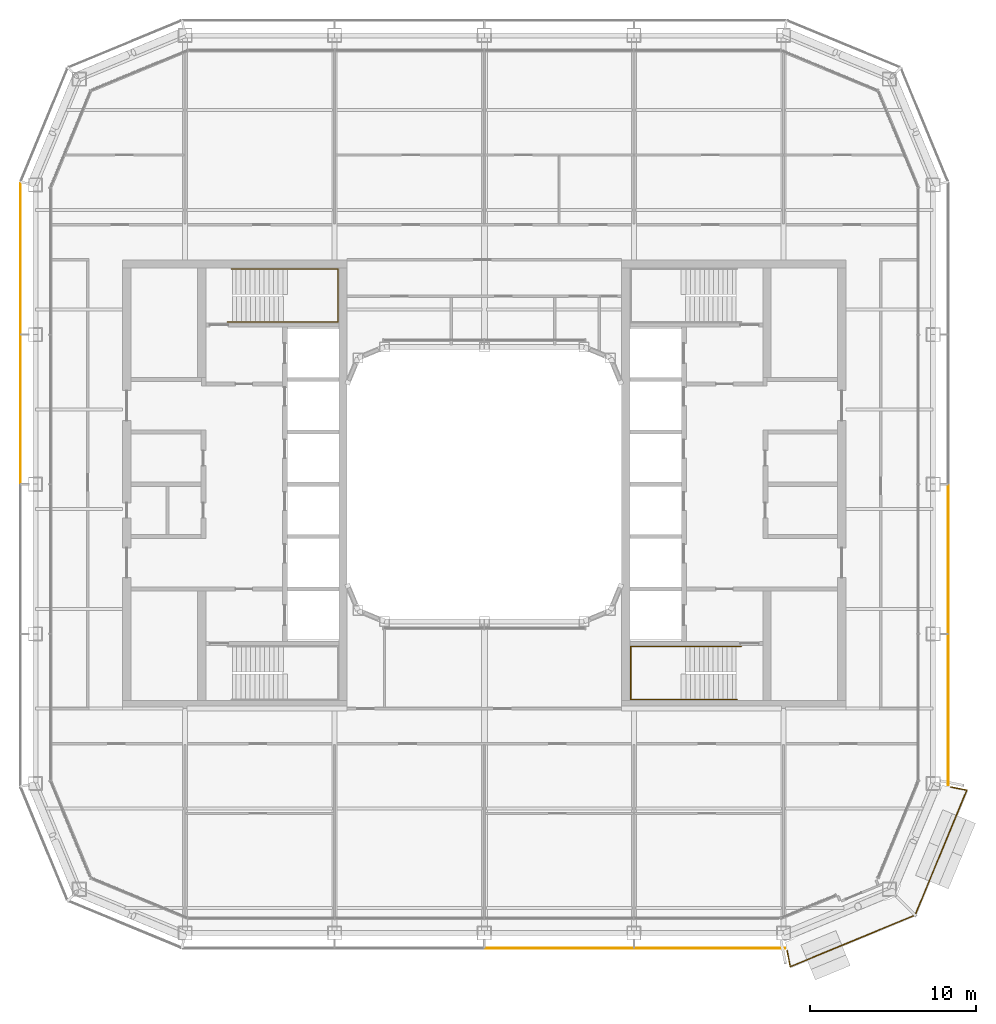
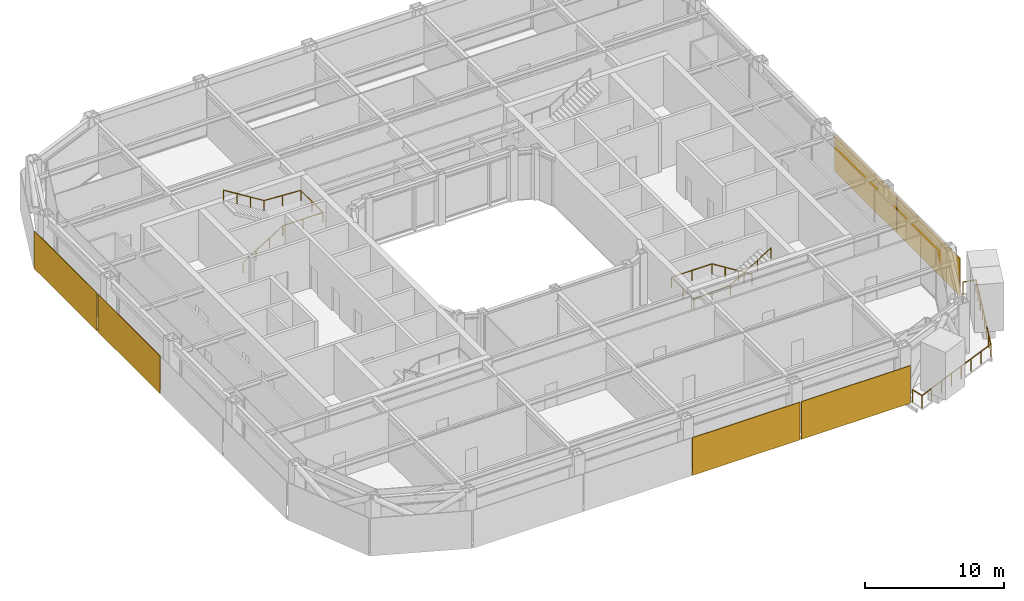
# One storey, part 19 of 22: 6 coverings, 3 railings.
"""IFC4 building model written with IfcOpenShell, lengths in metres."""

from ifc_helpers import new_model, si_unit, direction, frame, origin, origin_2d, place, context, subcontext, project, spatial, rectangle, circle, extrude, material, layer, layer_set, type_object, element, save


model = new_model("IFC4")

# Units and contexts
model_context = context("Model", 3, precision=1e-05, world=origin(), true_north=direction((0.0, 1.0)))
body_context = subcontext(model_context, "Body", "Model", "MODEL_VIEW")
ifc_project = project(units=[si_unit("LENGTHUNIT", "METRE"), si_unit("AREAUNIT", "SQUARE_METRE"), si_unit("VOLUMEUNIT", "CUBIC_METRE"), si_unit("PLANEANGLEUNIT", "RADIAN"), si_unit("MASSUNIT", "GRAM", prefix="KILO")], contexts=[model_context])

# Site, building, storey
site_placement = place(None, origin())
site = spatial("IfcSite", under=ifc_project, at=site_placement, CompositionType="ELEMENT")
building_placement = place(site_placement, origin())
building = spatial("IfcBuilding", under=site, at=building_placement, Name="Siwar Civic Tower", CompositionType="ELEMENT")
storey_placement = place(building_placement, frame((0.0, 0.0, 201.699951171875)))
storey = spatial("IfcBuildingStorey", under=building, at=storey_placement, Name="L43", CompositionType="ELEMENT", Elevation=201.699951171875)

# Railings
ifc_material_1 = material(Name="Stainless steel", Category="steel")
railing_type_1 = type_object("IfcRailingType", Name="CORE-STAIR-HANDRAIL", PredefinedType="HANDRAIL", material=ifc_material_1)
railing_1_placement = place(storey_placement, frame((-15.449951171875, 9.758056640625, 0.173095703125)))
element("IfcRailing", 1, at=railing_1_placement, inside=storey, type_object=railing_type_1, Name="Stair handrail ST1", PredefinedType="HANDRAIL", context=body_context, shape_type="SweptSolid", body=[
    extrude(circle(Radius=0.02001953125, at=origin_2d()), frame((0.0, 0.0, 0.8798828125), z_axis=(0.847063342986, 0.0, 0.531491950051), x_axis=(0.0, 1.0, 0.0)), (0.0, 0.0, 1.0), 3.90771484375),
    extrude(circle(Radius=0.02001953125, at=origin_2d()), frame((3.31005859375, 0.0, 2.956787109375), z_axis=(1.0, 0.0, 0.0), x_axis=(0.0, 1.0, 0.0)), (0.0, 0.0, 1.0), 3.331787109375),
    extrude(circle(Radius=0.02001953125, at=origin_2d()), frame((6.641845703125, 0.0, 2.956787109375), z_axis=(0.0, 1.0, 0.0), x_axis=(-1.0, 0.0, 0.0)), (0.0, 0.0, 1.0), 3.183837890625),
    extrude(circle(Radius=0.02001953125, at=origin_2d()), frame((6.641845703125, 3.183837890625, 2.956787109375), z_axis=(-0.99837434197, 0.0, 0.056997134106), x_axis=(0.0, -1.0, 0.0)), (0.0, 0.0, 1.0), 3.036865234375),
    extrude(circle(Radius=0.02001953125, at=origin_2d()), frame((3.60986328125, 3.183837890625, 3.1298828125), z_axis=(-0.850606129759, 0.0, 0.525803396734), x_axis=(0.0, -1.0, 0.0)), (0.0, 0.0, 1.0), 3.949951171875),
    extrude(circle(Radius=0.02001953125, at=origin_2d()), origin(), (0.0, 0.0, 1.0), 0.85986328125),
    extrude(circle(Radius=0.02001953125, at=origin_2d()), frame((1.103271484375, 0.0, 0.6923828125)), (0.0, 0.0, 1.0), 0.85986328125),
    extrude(circle(Radius=0.02001953125, at=origin_2d()), frame((2.206787109375, 0.0, 1.384521484375)), (0.0, 0.0, 1.0), 0.85986328125),
    extrude(circle(Radius=0.02001953125, at=origin_2d()), frame((3.31005859375, 0.0, 2.076904296875)), (0.0, 0.0, 1.0), 0.85986328125),
    extrude(circle(Radius=0.02001953125, at=origin_2d()), frame((4.97607421875, 0.0, 2.076904296875)), (0.0, 0.0, 1.0), 0.85986328125),
    extrude(circle(Radius=0.02001953125, at=origin_2d()), frame((6.641845703125, 0.0, 2.076904296875)), (0.0, 0.0, 1.0), 0.85986328125),
    extrude(circle(Radius=0.02001953125, at=origin_2d()), frame((6.641845703125, 1.591796875, 2.076904296875)), (0.0, 0.0, 1.0), 0.85986328125),
    extrude(circle(Radius=0.02001953125, at=origin_2d()), frame((6.641845703125, 3.183837890625, 2.076904296875)), (0.0, 0.0, 1.0), 0.85986328125),
    extrude(circle(Radius=0.02001953125, at=origin_2d()), frame((5.1259765625, 3.183837890625, 2.16357421875)), (0.0, 0.0, 1.0), 0.85986328125),
    extrude(circle(Radius=0.02001953125, at=origin_2d()), frame((3.60986328125, 3.183837890625, 2.25)), (0.0, 0.0, 1.0), 0.85986328125),
    extrude(circle(Radius=0.02001953125, at=origin_2d()), frame((2.489990234375, 3.183837890625, 2.9423828125)), (0.0, 0.0, 1.0), 0.85986328125),
    extrude(circle(Radius=0.02001953125, at=origin_2d()), frame((1.369873046875, 3.183837890625, 3.634521484375)), (0.0, 0.0, 1.0), 0.85986328125),
    extrude(circle(Radius=0.02001953125, at=origin_2d()), frame((0.25, 3.183837890625, 4.326904296875)), (0.0, 0.0, 1.0), 0.85986328125),
])
railing_2_placement = place(storey_placement, frame((15.449951171875, -9.758056640625, 0.173095703125)))
element("IfcRailing", 2, at=railing_2_placement, inside=storey, type_object=railing_type_1, Name="Stair handrail ST4", PredefinedType="HANDRAIL", context=body_context, shape_type="SweptSolid", body=[
    extrude(circle(Radius=0.02001953125, at=origin_2d()), frame((0.0, 0.0, 0.8798828125), z_axis=(-0.847063342986, 0.0, 0.531491950051), x_axis=(0.0, -1.0, 0.0)), (0.0, 0.0, 1.0), 3.90771484375),
    extrude(circle(Radius=0.02001953125, at=origin_2d()), frame((-3.31005859375, 0.0, 2.956787109375), z_axis=(-1.0, 0.0, 0.0), x_axis=(0.0, -1.0, 0.0)), (0.0, 0.0, 1.0), 3.331787109375),
    extrude(circle(Radius=0.02001953125, at=origin_2d()), frame((-6.641845703125, 0.0, 2.956787109375), z_axis=(0.0, -1.0, 0.0), x_axis=(1.0, 0.0, 0.0)), (0.0, 0.0, 1.0), 3.183837890625),
    extrude(circle(Radius=0.02001953125, at=origin_2d()), frame((-6.641845703125, -3.183837890625, 2.956787109375), z_axis=(0.99837434197, 0.0, 0.056997134106), x_axis=(0.0, 1.0, 0.0)), (0.0, 0.0, 1.0), 3.036865234375),
    extrude(circle(Radius=0.02001953125, at=origin_2d()), frame((-3.60986328125, -3.183837890625, 3.1298828125), z_axis=(0.850606129759, 0.0, 0.525803396734), x_axis=(0.0, 1.0, 0.0)), (0.0, 0.0, 1.0), 3.949951171875),
    extrude(circle(Radius=0.02001953125, at=origin_2d()), origin(), (0.0, 0.0, 1.0), 0.85986328125),
    extrude(circle(Radius=0.02001953125, at=origin_2d()), frame((-1.103271484375, 0.0, 0.6923828125)), (0.0, 0.0, 1.0), 0.85986328125),
    extrude(circle(Radius=0.02001953125, at=origin_2d()), frame((-2.206787109375, 0.0, 1.384521484375)), (0.0, 0.0, 1.0), 0.85986328125),
    extrude(circle(Radius=0.02001953125, at=origin_2d()), frame((-3.31005859375, 0.0, 2.076904296875)), (0.0, 0.0, 1.0), 0.85986328125),
    extrude(circle(Radius=0.02001953125, at=origin_2d()), frame((-4.97607421875, 0.0, 2.076904296875)), (0.0, 0.0, 1.0), 0.85986328125),
    extrude(circle(Radius=0.02001953125, at=origin_2d()), frame((-6.641845703125, 0.0, 2.076904296875)), (0.0, 0.0, 1.0), 0.85986328125),
    extrude(circle(Radius=0.02001953125, at=origin_2d()), frame((-6.641845703125, -1.591796875, 2.076904296875)), (0.0, 0.0, 1.0), 0.85986328125),
    extrude(circle(Radius=0.02001953125, at=origin_2d()), frame((-6.641845703125, -3.183837890625, 2.076904296875)), (0.0, 0.0, 1.0), 0.85986328125),
    extrude(circle(Radius=0.02001953125, at=origin_2d()), frame((-5.1259765625, -3.183837890625, 2.16357421875)), (0.0, 0.0, 1.0), 0.85986328125),
    extrude(circle(Radius=0.02001953125, at=origin_2d()), frame((-3.60986328125, -3.183837890625, 2.25)), (0.0, 0.0, 1.0), 0.85986328125),
    extrude(circle(Radius=0.02001953125, at=origin_2d()), frame((-2.489990234375, -3.183837890625, 2.9423828125)), (0.0, 0.0, 1.0), 0.85986328125),
    extrude(circle(Radius=0.02001953125, at=origin_2d()), frame((-1.369873046875, -3.183837890625, 3.634521484375)), (0.0, 0.0, 1.0), 0.85986328125),
    extrude(circle(Radius=0.02001953125, at=origin_2d()), frame((-0.25, -3.183837890625, 4.326904296875)), (0.0, 0.0, 1.0), 0.85986328125),
])
ifc_material_2 = material(Name="Stainless steel 316", Category="steel")
railing_type_2 = type_object("IfcRailingType", Name="ENV-GUARD", PredefinedType="GUARDRAIL", material=ifc_material_2)
railing_3_placement = place(storey_placement, frame((18.208251953125, -28.047119140625, 0.0)))
element("IfcRailing", 3, at=railing_3_placement, inside=storey, type_object=railing_type_2, Name="Balcony guard SE", PredefinedType="GUARDRAIL", context=body_context, shape_type="SweptSolid", body=[
    extrude(circle(Radius=0.02392578125, at=origin_2d()), frame((0.0, 0.0, 1.076171875), z_axis=(0.195123592472, -0.980778661911, 0.0), x_axis=(0.980778661911, 0.195123592472, 0.0)), (0.0, 0.0, 1.0), 0.993408203125),
    extrude(circle(Radius=0.02392578125, at=origin_2d()), frame((0.19384765625, -0.974365234375, 1.076171875), z_axis=(0.924089256518, 0.382176720888, 0.0), x_axis=(-0.382176720888, 0.924089256518, 0.0)), (0.0, 0.0, 1.0), 8.129638671875),
    extrude(circle(Radius=0.02392578125, at=origin_2d()), frame((7.706298828125, 2.132568359375, 1.076171875), z_axis=(0.382176720888, 0.924089256518, 0.0), x_axis=(-0.924089256518, 0.382176720888, 0.0)), (0.0, 0.0, 1.0), 8.129638671875),
    extrude(circle(Radius=0.02392578125, at=origin_2d()), frame((10.813232421875, 9.64501953125, 1.076171875), z_axis=(-0.980778661911, 0.195123592472, 0.0), x_axis=(-0.195123592472, -0.980778661911, 0.0)), (0.0, 0.0, 1.0), 0.993408203125),
    extrude(circle(Radius=0.02099609375, at=origin_2d()), origin(), (0.0, 0.0, 1.0), 1.052001953125),
    extrude(circle(Radius=0.02099609375, at=origin_2d()), frame((0.19384765625, -0.974365234375, 0.0)), (0.0, 0.0, 1.0), 1.052001953125),
    extrude(circle(Radius=0.02099609375, at=origin_2d()), frame((1.26708984375, -0.530517578125, 0.0)), (0.0, 0.0, 1.0), 1.052001953125),
    extrude(circle(Radius=0.02099609375, at=origin_2d()), frame((2.34033203125, -0.086669921875, 0.0)), (0.0, 0.0, 1.0), 1.052001953125),
    extrude(circle(Radius=0.02099609375, at=origin_2d()), frame((3.41357421875, 0.357177734375, 0.0)), (0.0, 0.0, 1.0), 1.052001953125),
    extrude(circle(Radius=0.02099609375, at=origin_2d()), frame((4.486572265625, 0.801025390625, 0.0)), (0.0, 0.0, 1.0), 1.052001953125),
    extrude(circle(Radius=0.02099609375, at=origin_2d()), frame((5.559814453125, 1.244873046875, 0.0)), (0.0, 0.0, 1.0), 1.052001953125),
    extrude(circle(Radius=0.02099609375, at=origin_2d()), frame((6.633056640625, 1.688720703125, 0.0)), (0.0, 0.0, 1.0), 1.052001953125),
    extrude(circle(Radius=0.02099609375, at=origin_2d()), frame((7.706298828125, 2.132568359375, 0.0)), (0.0, 0.0, 1.0), 1.052001953125),
    extrude(circle(Radius=0.02099609375, at=origin_2d()), frame((8.150146484375, 3.205810546875, 0.0)), (0.0, 0.0, 1.0), 1.052001953125),
    extrude(circle(Radius=0.02099609375, at=origin_2d()), frame((8.593994140625, 4.279052734375, 0.0)), (0.0, 0.0, 1.0), 1.052001953125),
    extrude(circle(Radius=0.02099609375, at=origin_2d()), frame((9.037841796875, 5.352294921875, 0.0)), (0.0, 0.0, 1.0), 1.052001953125),
    extrude(circle(Radius=0.02099609375, at=origin_2d()), frame((9.481689453125, 6.42529296875, 0.0)), (0.0, 0.0, 1.0), 1.052001953125),
    extrude(circle(Radius=0.02099609375, at=origin_2d()), frame((9.925537109375, 7.49853515625, 0.0)), (0.0, 0.0, 1.0), 1.052001953125),
    extrude(circle(Radius=0.02099609375, at=origin_2d()), frame((10.369384765625, 8.57177734375, 0.0)), (0.0, 0.0, 1.0), 1.052001953125),
    extrude(circle(Radius=0.02099609375, at=origin_2d()), frame((10.813232421875, 9.64501953125, 0.0)), (0.0, 0.0, 1.0), 1.052001953125),
    extrude(circle(Radius=0.02099609375, at=origin_2d()), frame((9.8388671875, 9.8388671875, 0.0)), (0.0, 0.0, 1.0), 1.052001953125),
])

# Coverings
ifc_material_3 = material(Name="Perforated aluminium cassette, pale metal", Category="aluminium")
ifc_layer_1 = layer(ifc_material_3, 0.0400390625)
ifc_layer_set_1 = layer_set([ifc_layer_1], Name="Perforated aluminium cassette, pale metal")
covering_type_1 = type_object("IfcCoveringType", Name="ENV-OUTER SKIN OS-1", PredefinedType="CLADDING", material=ifc_layer_set_1)
covering_1_placement = place(storey_placement, frame((27.89990234375, -13.57958984375, -0.14990234375), z_axis=(0.0, 0.0, 1.0), x_axis=(0.0, 1.0, 0.0)))
element("IfcCovering", 4, at=covering_1_placement, inside=storey, type_object=covering_type_1, Name="OUTER SKIN OS-1 E 1", PredefinedType="CLADDING", context=body_context, shape_type="SweptSolid", body=[
    extrude(rectangle(XDim=9.05908203125, YDim=0.0400390625, at=origin_2d()), origin(), (0.0, 0.0, 1.0), 3.300048828125),
])
covering_2_placement = place(storey_placement, frame((27.89990234375, -4.5, -0.14990234375), z_axis=(0.0, 0.0, 1.0), x_axis=(0.0, 1.0, 0.0)))
element("IfcCovering", 5, at=covering_2_placement, inside=storey, type_object=covering_type_1, Name="OUTER SKIN OS-1 E 2", PredefinedType="CLADDING", context=body_context, shape_type="SweptSolid", body=[
    extrude(rectangle(XDim=8.89990234375, YDim=0.0400390625, at=origin_2d()), origin(), (0.0, 0.0, 1.0), 3.300048828125),
])
ifc_material_4 = material(Name="Perforated aluminium cassette, pale metal", Category="aluminium")
ifc_layer_2 = layer(ifc_material_4, 0.050048828125)
ifc_layer_set_2 = layer_set([ifc_layer_2], Name="Perforated aluminium cassette, pale metal")
covering_type_2 = type_object("IfcCoveringType", Name="ENV-OUTER SKIN OS-3", PredefinedType="CLADDING", material=ifc_layer_set_2)
covering_3_placement = place(storey_placement, frame((-27.89990234375, 13.57958984375, -0.14990234375), z_axis=(0.0, 0.0, 1.0), x_axis=(0.0, -1.0, 0.0)))
element("IfcCovering", 6, at=covering_3_placement, inside=storey, type_object=covering_type_2, Name="OUTER SKIN OS-3 W 1", PredefinedType="CLADDING", context=body_context, shape_type="SweptSolid", body=[
    extrude(rectangle(XDim=9.05908203125, YDim=0.050048828125, at=origin_2d()), origin(), (0.0, 0.0, 1.0), 3.300048828125),
])
covering_4_placement = place(storey_placement, frame((-27.89990234375, 4.5, -0.14990234375), z_axis=(0.0, 0.0, 1.0), x_axis=(0.0, -1.0, 0.0)))
element("IfcCovering", 7, at=covering_4_placement, inside=storey, type_object=covering_type_2, Name="OUTER SKIN OS-3 W 2", PredefinedType="CLADDING", context=body_context, shape_type="SweptSolid", body=[
    extrude(rectangle(XDim=8.89990234375, YDim=0.050048828125, at=origin_2d()), origin(), (0.0, 0.0, 1.0), 3.300048828125),
])
ifc_material_5 = material(Name="Perforated aluminium cassette, pale metal", Category="aluminium")
ifc_layer_3 = layer(ifc_material_5, 0.054931640625)
ifc_layer_set_3 = layer_set([ifc_layer_3], Name="Perforated aluminium cassette, pale metal")
covering_type_3 = type_object("IfcCoveringType", Name="ENV-OUTER SKIN OS-4", PredefinedType="CLADDING", material=ifc_layer_set_3)
covering_5_placement = place(storey_placement, frame((4.5, -27.89990234375, -0.14990234375), z_axis=(0.0, 0.0, 1.0), x_axis=(1.0, 0.0, 0.0)))
element("IfcCovering", 8, at=covering_5_placement, inside=storey, type_object=covering_type_3, Name="OUTER SKIN OS-4 S 3", PredefinedType="CLADDING", context=body_context, shape_type="SweptSolid", body=[
    extrude(rectangle(XDim=8.89990234375, YDim=0.054931640625, at=origin_2d()), origin(), (0.0, 0.0, 1.0), 3.300048828125),
])
covering_6_placement = place(storey_placement, frame((13.57958984375, -27.89990234375, -0.14990234375), z_axis=(0.0, 0.0, 1.0), x_axis=(1.0, 0.0, 0.0)))
element("IfcCovering", 9, at=covering_6_placement, inside=storey, type_object=covering_type_3, Name="OUTER SKIN OS-4 S 4", PredefinedType="CLADDING", context=body_context, shape_type="SweptSolid", body=[
    extrude(rectangle(XDim=9.05908203125, YDim=0.054931640625, at=origin_2d()), origin(), (0.0, 0.0, 1.0), 3.300048828125),
])

save(model, "model.ifc")
